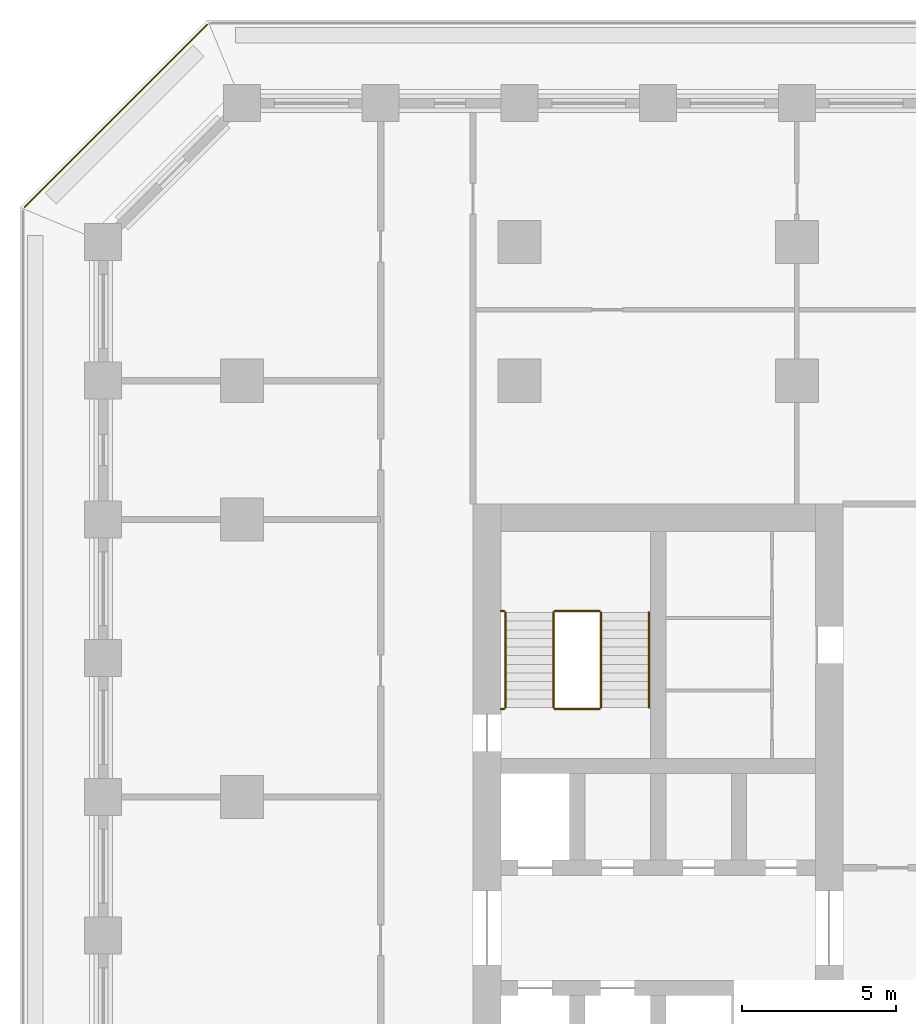
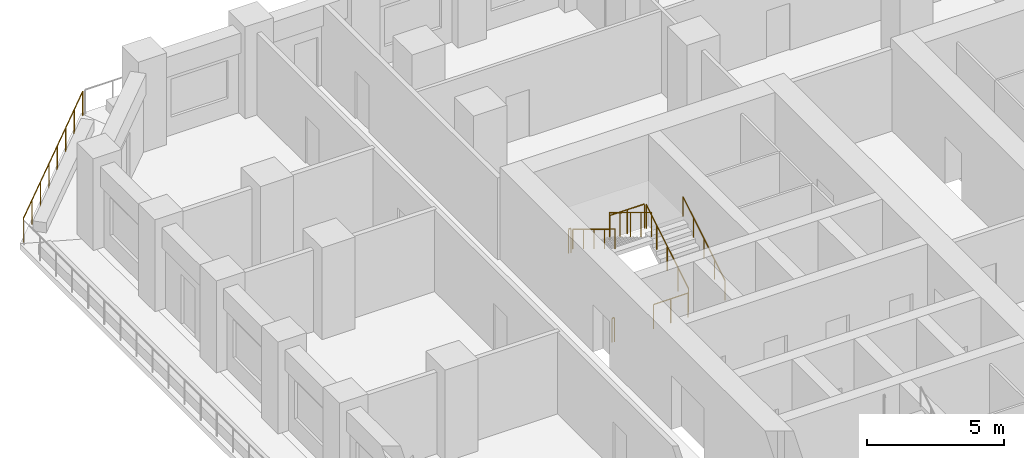
# One storey, part 14 of 17: 9 railings.
"""IFC4 building model written with IfcOpenShell, lengths in metres."""

from ifc_helpers import new_model, si_unit, direction, frame, origin, origin_2d, place, context, subcontext, project, spatial, circle, extrude, material, type_object, element, save


model = new_model("IFC4")

# Units and contexts
model_context = context("Model", 3, precision=1e-05, world=origin(), true_north=direction((0.0, 1.0)))
body_context = subcontext(model_context, "Body", "Model", "MODEL_VIEW")
ifc_project = project(units=[si_unit("LENGTHUNIT", "METRE"), si_unit("AREAUNIT", "SQUARE_METRE"), si_unit("VOLUMEUNIT", "CUBIC_METRE"), si_unit("PLANEANGLEUNIT", "RADIAN"), si_unit("MASSUNIT", "GRAM", prefix="KILO")], contexts=[model_context])

# Site, building, storey
site_placement = place(None, origin())
site = spatial("IfcSite", under=ifc_project, at=site_placement, CompositionType="ELEMENT")
building_placement = place(site_placement, origin())
building = spatial("IfcBuilding", under=site, at=building_placement, Name="Corbel Stack Research Tower", CompositionType="ELEMENT")
storey_placement = place(building_placement, frame((0.0, 0.0, 94.300048828125)))
storey = spatial("IfcBuildingStorey", under=building, at=storey_placement, Name="L21", CompositionType="ELEMENT", Elevation=94.300048828125)

# Railings
ifc_material_1 = material(Name="Steel S355", Category="steel")
railing_type_1 = type_object("IfcRailingType", Name="Stair guard 1100", PredefinedType="GUARDRAIL", material=ifc_material_1)
railing_1_placement = place(storey_placement, frame((-6.35009765625, 11.89990234375, 0.1708984375)))
element("IfcRailing", 1, at=railing_1_placement, inside=storey, type_object=railing_type_1, Name="L21 ST-W2 stair guard 1", PredefinedType="GUARDRAIL", context=body_context, shape_type="SweptSolid", body=[
    extrude(circle(Radius=0.02392578125, at=origin_2d()), frame((0.0, 0.0, 1.076171875), z_axis=(0.0, 0.853666305674, 0.52082035152), x_axis=(-1.0, 0.0, 0.0)), (0.0, 0.0, 1.0), 3.608154296875),
    extrude(circle(Radius=0.02099609375, at=origin_2d()), origin(), (0.0, 0.0, 1.0), 1.052001953125),
    extrude(circle(Radius=0.02099609375, at=origin_2d()), frame((0.0, 0.77001953125, 0.4697265625)), (0.0, 0.0, 1.0), 1.052001953125),
    extrude(circle(Radius=0.02099609375, at=origin_2d()), frame((0.0, 1.5400390625, 0.939453125)), (0.0, 0.0, 1.0), 1.052001953125),
    extrude(circle(Radius=0.02099609375, at=origin_2d()), frame((0.0, 2.31005859375, 1.409423828125)), (0.0, 0.0, 1.0), 1.052001953125),
    extrude(circle(Radius=0.02099609375, at=origin_2d()), frame((0.0, 3.080078125, 1.879150390625)), (0.0, 0.0, 1.0), 1.052001953125),
])
railing_2_placement = place(storey_placement, frame((-6.39990234375, 15.030029296875, 2.050048828125)))
element("IfcRailing", 2, at=railing_2_placement, inside=storey, type_object=railing_type_1, Name="L21 ST-W2 stair guard 2", PredefinedType="GUARDRAIL", context=body_context, shape_type="SweptSolid", body=[
    extrude(circle(Radius=0.02392578125, at=origin_2d()), frame((0.0, 0.0, 1.076171875), z_axis=(-1.0, 0.0, 0.0), x_axis=(0.0, -1.0, 0.0)), (0.0, 0.0, 1.0), 1.4501953125),
    extrude(circle(Radius=0.02099609375, at=origin_2d()), origin(), (0.0, 0.0, 1.0), 1.052001953125),
    extrude(circle(Radius=0.02099609375, at=origin_2d()), frame((-0.72509765625, 0.0, 0.0)), (0.0, 0.0, 1.0), 1.052001953125),
    extrude(circle(Radius=0.02099609375, at=origin_2d()), frame((-1.4501953125, 0.0, 0.0)), (0.0, 0.0, 1.0), 1.052001953125),
])
railing_3_placement = place(storey_placement, frame((-9.5, 15.030029296875, 2.050048828125)))
element("IfcRailing", 3, at=railing_3_placement, inside=storey, type_object=railing_type_1, Name="L21 ST-W2 stair guard 3", PredefinedType="GUARDRAIL", context=body_context, shape_type="SweptSolid", body=[
    extrude(circle(Radius=0.02392578125, at=origin_2d()), frame((0.0, 0.0, 1.076171875), z_axis=(-1.0, 0.0, 0.0), x_axis=(0.0, -1.0, 0.0)), (0.0, 0.0, 1.0), 0.10009765625),
    extrude(circle(Radius=0.02099609375, at=origin_2d()), origin(), (0.0, 0.0, 1.0), 1.052001953125),
    extrude(circle(Radius=0.02099609375, at=origin_2d()), frame((-0.10009765625, 0.0, 0.0)), (0.0, 0.0, 1.0), 1.052001953125),
])
railing_4_placement = place(storey_placement, frame((-7.89990234375, 14.97998046875, 2.220703125)))
element("IfcRailing", 4, at=railing_4_placement, inside=storey, type_object=railing_type_1, Name="L21 ST-W2 stair guard 4", PredefinedType="GUARDRAIL", context=body_context, shape_type="SweptSolid", body=[
    extrude(circle(Radius=0.02392578125, at=origin_2d()), frame((0.0, 0.0, 1.076171875), z_axis=(0.0, -0.853666305674, 0.52082035152), x_axis=(1.0, 0.0, 0.0)), (0.0, 0.0, 1.0), 3.608154296875),
    extrude(circle(Radius=0.02099609375, at=origin_2d()), origin(), (0.0, 0.0, 1.0), 1.052001953125),
    extrude(circle(Radius=0.02099609375, at=origin_2d()), frame((0.0, -0.77001953125, 0.4697265625)), (0.0, 0.0, 1.0), 1.052001953125),
    extrude(circle(Radius=0.02099609375, at=origin_2d()), frame((0.0, -1.5400390625, 0.939453125)), (0.0, 0.0, 1.0), 1.052001953125),
    extrude(circle(Radius=0.02099609375, at=origin_2d()), frame((0.0, -2.31005859375, 1.409423828125)), (0.0, 0.0, 1.0), 1.052001953125),
    extrude(circle(Radius=0.02099609375, at=origin_2d()), frame((0.0, -3.080078125, 1.879150390625)), (0.0, 0.0, 1.0), 1.052001953125),
])
railing_5_placement = place(storey_placement, frame((-6.39990234375, 11.85009765625, 0.0)))
element("IfcRailing", 5, at=railing_5_placement, inside=storey, type_object=railing_type_1, Name="L21 ST-W2 stair guard 5", PredefinedType="GUARDRAIL", context=body_context, shape_type="SweptSolid", body=[
    extrude(circle(Radius=0.02392578125, at=origin_2d()), frame((0.0, 0.0, 1.076171875), z_axis=(-1.0, 0.0, 0.0), x_axis=(0.0, -1.0, 0.0)), (0.0, 0.0, 1.0), 1.4501953125),
    extrude(circle(Radius=0.02099609375, at=origin_2d()), origin(), (0.0, 0.0, 1.0), 1.052001953125),
    extrude(circle(Radius=0.02099609375, at=origin_2d()), frame((-0.72509765625, 0.0, 0.0)), (0.0, 0.0, 1.0), 1.052001953125),
    extrude(circle(Radius=0.02099609375, at=origin_2d()), frame((-1.4501953125, 0.0, 0.0)), (0.0, 0.0, 1.0), 1.052001953125),
])
railing_6_placement = place(storey_placement, frame((-9.5, 11.85009765625, 0.0)))
element("IfcRailing", 6, at=railing_6_placement, inside=storey, type_object=railing_type_1, Name="L21 ST-W2 stair guard 6", PredefinedType="GUARDRAIL", context=body_context, shape_type="SweptSolid", body=[
    extrude(circle(Radius=0.02392578125, at=origin_2d()), frame((0.0, 0.0, 1.076171875), z_axis=(-1.0, 0.0, 0.0), x_axis=(0.0, -1.0, 0.0)), (0.0, 0.0, 1.0), 0.10009765625),
    extrude(circle(Radius=0.02099609375, at=origin_2d()), origin(), (0.0, 0.0, 1.0), 1.052001953125),
    extrude(circle(Radius=0.02099609375, at=origin_2d()), frame((-0.10009765625, 0.0, 0.0)), (0.0, 0.0, 1.0), 1.052001953125),
])
ifc_material_2 = material(Name="Steel S355", Category="steel")
railing_type_2 = type_object("IfcRailingType", Name="Stair handrail 900", PredefinedType="HANDRAIL", material=ifc_material_2)
railing_7_placement = place(storey_placement, frame((-4.800048828125, 11.89990234375, 0.1708984375)))
element("IfcRailing", 7, at=railing_7_placement, inside=storey, type_object=railing_type_2, Name="L21 ST-W2 stair handrail 1", PredefinedType="HANDRAIL", context=body_context, shape_type="SweptSolid", body=[
    extrude(circle(Radius=0.02392578125, at=origin_2d()), frame((0.0, 0.0, 0.8759765625), z_axis=(0.0, 0.853666305674, 0.52082035152), x_axis=(-1.0, 0.0, 0.0)), (0.0, 0.0, 1.0), 3.608154296875),
    extrude(circle(Radius=0.02099609375, at=origin_2d()), origin(), (0.0, 0.0, 1.0), 0.851806640625),
    extrude(circle(Radius=0.02099609375, at=origin_2d()), frame((0.0, 0.77001953125, 0.4697265625)), (0.0, 0.0, 1.0), 0.851806640625),
    extrude(circle(Radius=0.02099609375, at=origin_2d()), frame((0.0, 1.5400390625, 0.939453125)), (0.0, 0.0, 1.0), 0.851806640625),
    extrude(circle(Radius=0.02099609375, at=origin_2d()), frame((0.0, 2.31005859375, 1.409423828125)), (0.0, 0.0, 1.0), 0.851806640625),
    extrude(circle(Radius=0.02099609375, at=origin_2d()), frame((0.0, 3.080078125, 1.879150390625)), (0.0, 0.0, 1.0), 0.851806640625),
])
railing_8_placement = place(storey_placement, frame((-9.449951171875, 14.97998046875, 2.220703125)))
element("IfcRailing", 8, at=railing_8_placement, inside=storey, type_object=railing_type_2, Name="L21 ST-W2 stair handrail 2", PredefinedType="HANDRAIL", context=body_context, shape_type="SweptSolid", body=[
    extrude(circle(Radius=0.02392578125, at=origin_2d()), frame((0.0, 0.0, 0.8759765625), z_axis=(0.0, -0.853666305674, 0.52082035152), x_axis=(1.0, 0.0, 0.0)), (0.0, 0.0, 1.0), 3.608154296875),
    extrude(circle(Radius=0.02099609375, at=origin_2d()), origin(), (0.0, 0.0, 1.0), 0.851806640625),
    extrude(circle(Radius=0.02099609375, at=origin_2d()), frame((0.0, -0.77001953125, 0.4697265625)), (0.0, 0.0, 1.0), 0.851806640625),
    extrude(circle(Radius=0.02099609375, at=origin_2d()), frame((0.0, -1.5400390625, 0.939453125)), (0.0, 0.0, 1.0), 0.851806640625),
    extrude(circle(Radius=0.02099609375, at=origin_2d()), frame((0.0, -2.31005859375, 1.409423828125)), (0.0, 0.0, 1.0), 0.851806640625),
    extrude(circle(Radius=0.02099609375, at=origin_2d()), frame((0.0, -3.080078125, 1.879150390625)), (0.0, 0.0, 1.0), 0.851806640625),
])
ifc_material_3 = material(Name="Powder-coated steel guard", Category="steel")
railing_type_3 = type_object("IfcRailingType", Name="Steel and glass guard 1100", PredefinedType="GUARDRAIL", material=ifc_material_3)
railing_9_placement = place(storey_placement, frame((-19.127685546875, 34.04931640625, 0.0)))
element("IfcRailing", 9, at=railing_9_placement, inside=storey, type_object=railing_type_3, Name="Loggia guard L21 NW", PredefinedType="GUARDRAIL", context=body_context, shape_type="SweptSolid", body=[
    extrude(circle(Radius=0.02392578125, at=origin_2d()), frame((0.0, 0.0, 1.076171875), z_axis=(-0.707106781187, -0.707106781187, 0.0), x_axis=(0.707106781187, -0.707106781187, 0.0)), (0.0, 0.0, 1.0), 8.37451171875),
    extrude(circle(Radius=0.02099609375, at=origin_2d()), origin(), (0.0, 0.0, 1.0), 1.052001953125),
    extrude(circle(Radius=0.02099609375, at=origin_2d()), frame((-0.845947265625, -0.845947265625, 0.0)), (0.0, 0.0, 1.0), 1.052001953125),
    extrude(circle(Radius=0.02099609375, at=origin_2d()), frame((-1.69189453125, -1.69189453125, 0.0)), (0.0, 0.0, 1.0), 1.052001953125),
    extrude(circle(Radius=0.02099609375, at=origin_2d()), frame((-2.537841796875, -2.537841796875, 0.0)), (0.0, 0.0, 1.0), 1.052001953125),
    extrude(circle(Radius=0.02099609375, at=origin_2d()), frame((-3.3837890625, -3.3837890625, 0.0)), (0.0, 0.0, 1.0), 1.052001953125),
    extrude(circle(Radius=0.02099609375, at=origin_2d()), frame((-4.229736328125, -4.229736328125, 0.0)), (0.0, 0.0, 1.0), 1.052001953125),
    extrude(circle(Radius=0.02099609375, at=origin_2d()), frame((-5.07568359375, -5.07568359375, 0.0)), (0.0, 0.0, 1.0), 1.052001953125),
    extrude(circle(Radius=0.02099609375, at=origin_2d()), frame((-5.921630859375, -5.921630859375, 0.0)), (0.0, 0.0, 1.0), 1.052001953125),
])

save(model, "model.ifc")
